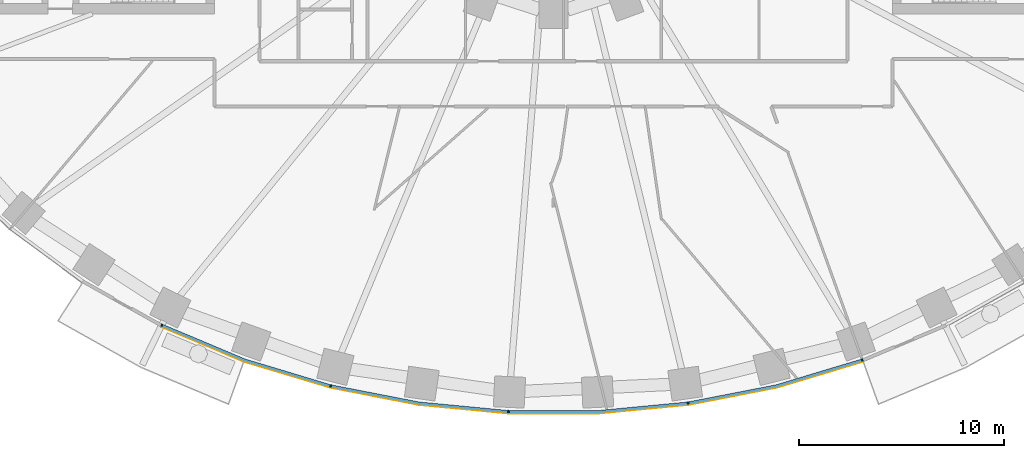
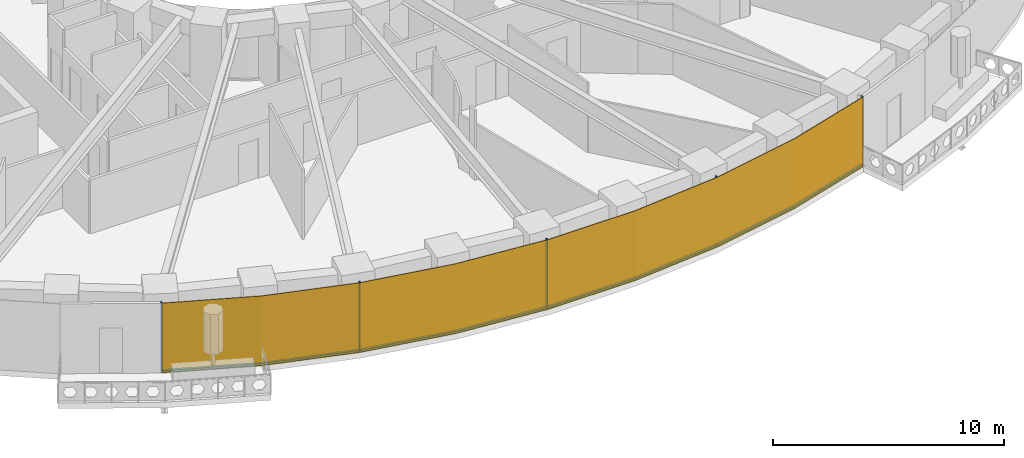
# One storey, part 9 of 15: 9 members, 1 curtain wall.
"""IFC4 building model written with IfcOpenShell, lengths in metres."""

from ifc_helpers import new_model, si_unit, direction, frame, origin, origin_2d, place, context, subcontext, project, spatial, polyline, rectangle, outline, extrude, material, layer, layer_set, material_profile, profile_set, type_object, element, aggregate, save


model = new_model("IFC4")

# Units and contexts
model_context = context("Model", 3, precision=1e-05, world=origin(), true_north=direction((0.0, 1.0)))
body_context = subcontext(model_context, "Body", "Model", "MODEL_VIEW")
ifc_project = project(units=[si_unit("LENGTHUNIT", "METRE"), si_unit("AREAUNIT", "SQUARE_METRE"), si_unit("VOLUMEUNIT", "CUBIC_METRE"), si_unit("PLANEANGLEUNIT", "RADIAN"), si_unit("MASSUNIT", "GRAM", prefix="KILO")], contexts=[model_context])

# Member
ifc_material_1 = material(Name="Aluminium 6063-T6 black anodised", Category="aluminium")
ifc_material_profile = material_profile(ifc_material_1, rectangle(XDim=0.1201171875, YDim=0.06005859375, at=origin_2d()), Name="120x60")
ifc_profile_set = profile_set([ifc_material_profile], Name="Aluminium 6063-T6 black anodised")
member_type_1 = type_object("IfcMemberType", Name="ENV-MULLION-A-120", PredefinedType="MULLION", material=ifc_profile_set)
site_placement = place(None, origin())
building_placement = place(site_placement, origin())
storey_placement = place(building_placement, frame((0.0, 0.0, 38.5)))
member_1_placement = place(storey_placement, frame((-19.06787109375, -23.6474609375, 0.0), z_axis=(0.0, 0.0, 1.0), x_axis=(0.439237769837, 0.898370848563, 0.0)))
member_1 = element("IfcMember", 1, at=member_1_placement, type_object=member_type_1, Name="Mullion A radial 31", PredefinedType="MULLION", context=body_context, shape_type="SweptSolid", body=[
    extrude(rectangle(XDim=0.1201171875, YDim=0.06005859375, at=origin_2d()), origin(), (0.0, 0.0, 1.0), 3.699951171875),
])

member_2_placement = place(storey_placement, frame((-10.84326171875, -26.60498046875, 0.0), z_axis=(0.0, 0.0, 1.0), x_axis=(0.239799081534, 0.970822538106, 0.0)))
member_2 = element("IfcMember", 2, at=member_2_placement, type_object=member_type_1, Name="Mullion A radial 33", PredefinedType="MULLION", context=body_context, shape_type="SweptSolid", body=[
    extrude(rectangle(XDim=0.1201171875, YDim=0.06005859375, at=origin_2d()), origin(), (0.0, 0.0, 1.0), 3.699951171875),
])

member_3_placement = place(storey_placement, frame((-2.188720703125, -27.856201171875, 0.0), z_axis=(0.0, 0.0, 1.0), x_axis=(0.047557873581, 0.998868484166, 0.0)))
member_3 = element("IfcMember", 3, at=member_3_placement, type_object=member_type_1, Name="Mullion A radial 35", PredefinedType="MULLION", context=body_context, shape_type="SweptSolid", body=[
    extrude(rectangle(XDim=0.1201171875, YDim=0.06005859375, at=origin_2d()), origin(), (0.0, 0.0, 1.0), 3.699951171875),
])

member_4_placement = place(storey_placement, frame((6.54638671875, -27.440185546875, 0.0), z_axis=(0.0, 0.0, 1.0), x_axis=(-0.143082012705, 0.989710835366, 0.0)))
member_4 = element("IfcMember", 4, at=member_4_placement, type_object=member_type_1, Name="Mullion A radial 37", PredefinedType="MULLION", context=body_context, shape_type="SweptSolid", body=[
    extrude(rectangle(XDim=0.1201171875, YDim=0.06005859375, at=origin_2d()), origin(), (0.0, 0.0, 1.0), 3.699951171875),
])

member_5_placement = place(storey_placement, frame((15.0341796875, -25.34375, 0.0), z_axis=(0.0, 0.0, 1.0), x_axis=(-0.338379256581, 0.941009818608, 0.0)))
member_5 = element("IfcMember", 5, at=member_5_placement, type_object=member_type_1, Name="Mullion A radial 39", PredefinedType="MULLION", context=body_context, shape_type="SweptSolid", body=[
    extrude(rectangle(XDim=0.1201171875, YDim=0.06005859375, at=origin_2d()), origin(), (0.0, 0.0, 1.0), 3.699951171875),
])

ifc_material_2 = material(Name="Aluminium 6063-T6 black anodised", Category="aluminium")
member_type_2 = type_object("IfcMemberType", Name="ENV-TRANSOM-A", PredefinedType="USERDEFINED", material=ifc_material_2)
member_6_placement = place(storey_placement, origin())
member_6 = element("IfcMember", 6, at=member_6_placement, type_object=member_type_2, Name="Transom A radial 31-33", ObjectType="TRANSOM", PredefinedType="USERDEFINED", context=body_context, shape_type="SweptSolid", body=[
    extrude(outline(polyline([(-19.068359375, -23.71240234375), (-15.054443359375, -25.400146484375), (-10.884521484375, -26.655029296875), (-10.855712890625, -26.53857421875), (-15.013916015625, -25.287109375), (-19.015380859375, -23.604248046875), (-19.068359375, -23.71240234375)])), origin(), (0.0, 0.0, 1.0), 0.10009765625),
])

member_7_placement = place(storey_placement, origin())
member_7 = element("IfcMember", 7, at=member_7_placement, type_object=member_type_2, Name="Transom A radial 33-35", ObjectType="TRANSOM", PredefinedType="USERDEFINED", context=body_context, shape_type="SweptSolid", body=[
    extrude(outline(polyline([(-10.830078125, -26.66845703125), (-6.55517578125, -27.49951171875), (-2.219482421875, -27.913330078125), (-2.2138671875, -27.793212890625), (-6.537841796875, -27.380615234375), (-10.80126953125, -26.552001953125), (-10.830078125, -26.66845703125)])), origin(), (0.0, 0.0, 1.0), 0.10009765625),
])

member_8_placement = place(storey_placement, origin())
member_8 = element("IfcMember", 8, at=member_8_placement, type_object=member_type_2, Name="Transom A radial 35-37", ObjectType="TRANSOM", PredefinedType="USERDEFINED", context=body_context, shape_type="SweptSolid", body=[
    extrude(outline(polyline([(-2.163818359375, -27.916015625), (2.191650390625, -27.916015625), (6.527099609375, -27.502197265625), (6.510009765625, -27.38330078125), (2.185791015625, -27.7958984375), (-2.157958984375, -27.7958984375), (-2.163818359375, -27.916015625)])), origin(), (0.0, 0.0, 1.0), 0.10009765625),
])

member_9_placement = place(storey_placement, origin())
member_9 = element("IfcMember", 9, at=member_9_placement, type_object=member_type_2, Name="Transom A radial 37-39", ObjectType="TRANSOM", PredefinedType="USERDEFINED", context=body_context, shape_type="SweptSolid", body=[
    extrude(outline(polyline([(6.58251953125, -27.494140625), (10.857666015625, -26.6630859375), (15.027587890625, -25.408203125), (14.987060546875, -25.295166015625), (10.828857421875, -26.54638671875), (6.5654296875, -27.375244140625), (6.58251953125, -27.494140625)])), origin(), (0.0, 0.0, 1.0), 0.10009765625),
])

# Site, building, storey
site = spatial("IfcSite", under=ifc_project, at=site_placement, CompositionType="ELEMENT")
building = spatial("IfcBuilding", under=site, at=building_placement, Name="Noorbagh Ring Tower", CompositionType="ELEMENT")
storey = spatial("IfcBuildingStorey", under=building, at=storey_placement, Name="L07", CompositionType="ELEMENT", Elevation=38.5)

# Curtain wall
ifc_material_3 = material(Name="Glass dark tinted laminated", Category="glass")
ifc_layer = layer(ifc_material_3, 0.031982421875)
ifc_layer_set = layer_set([ifc_layer], Name="Glass dark tinted laminated")
curtain_wall_type = type_object("IfcCurtainWallType", Name="ENV-CW-A", PredefinedType="NOTDEFINED", material=ifc_layer_set)
curtain_wall_placement = place(storey_placement, origin())
curtain_wall = element("IfcCurtainWall", 10, at=curtain_wall_placement, inside=storey, type_object=curtain_wall_type, Name="Curtain wall A R31", PredefinedType="NOTDEFINED", context=body_context, shape_type="SweptSolid", body=[
    extrude(outline(polyline([(-19.08984375, -23.738037109375), (-15.065185546875, -25.430419921875), (-10.865234375, -26.6943359375), (-6.559814453125, -27.53125), (-2.193115234375, -27.947998046875), (2.193115234375, -27.947998046875), (6.559814453125, -27.53125), (10.865234375, -26.6943359375), (15.046142578125, -25.43603515625), (15.035400390625, -25.406005859375), (10.857666015625, -26.6630859375), (6.55517578125, -27.49951171875), (2.191650390625, -27.916015625), (-2.191650390625, -27.916015625), (-6.55517578125, -27.49951171875), (-10.857666015625, -26.6630859375), (-15.054443359375, -25.400146484375), (-19.07568359375, -23.709228515625), (-19.08984375, -23.738037109375)])), origin(), (0.0, 0.0, 1.0), 3.699951171875),
])

aggregate(curtain_wall, [member_1, member_2, member_3, member_4, member_5, member_6, member_7, member_8, member_9])

save(model, "model.ifc")
